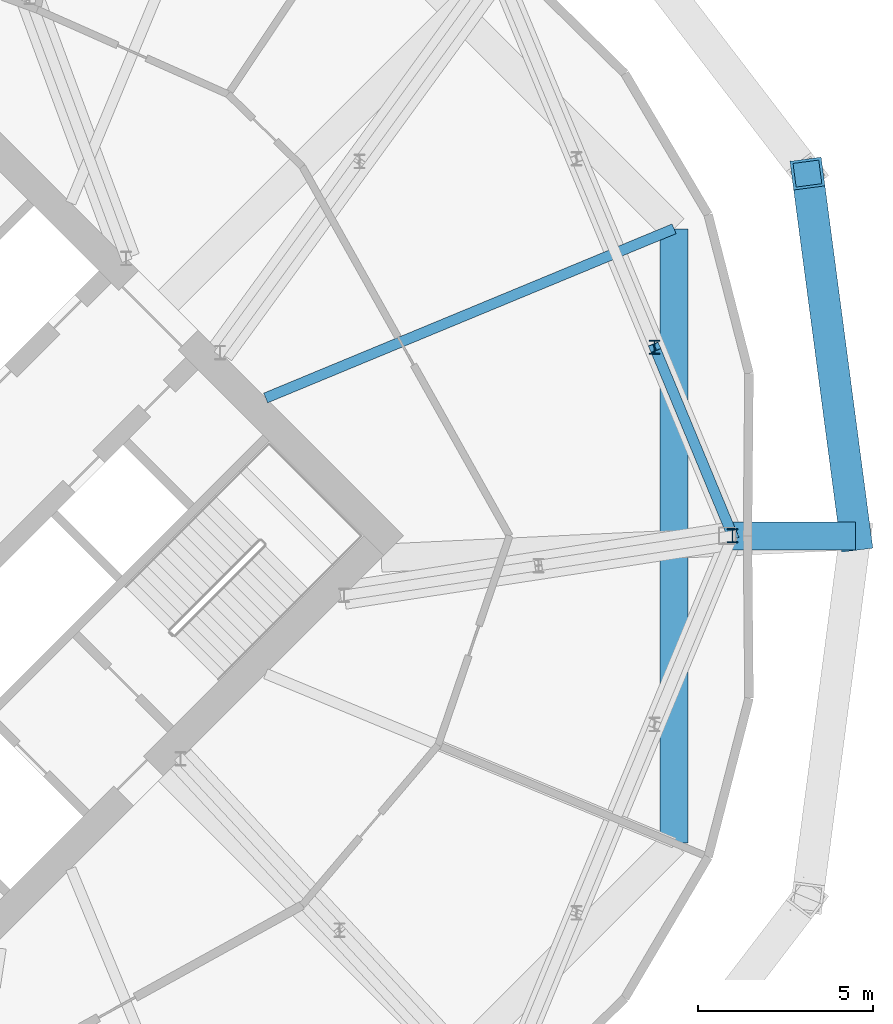
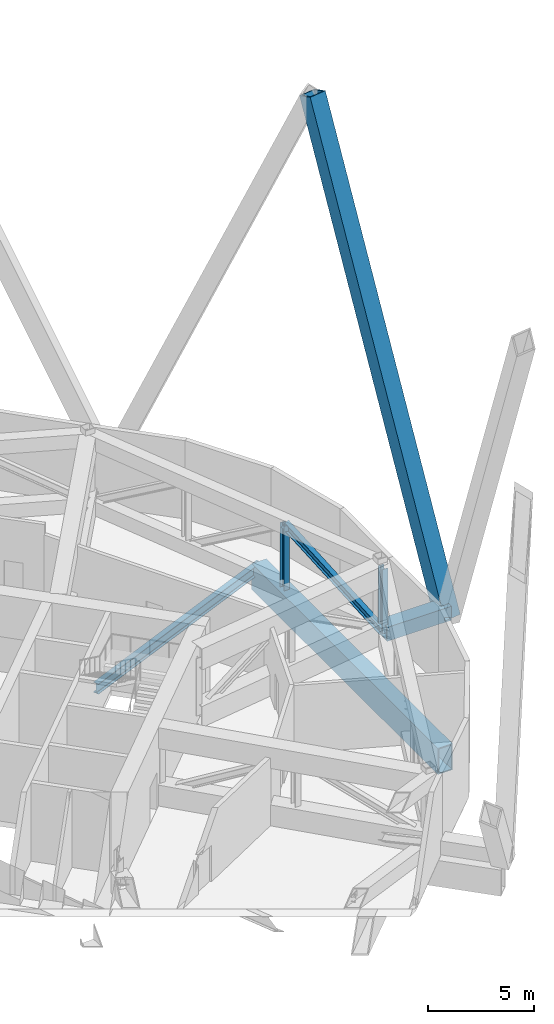
# One storey, part 10 of 21: 4 members, 3 beams.
"""IFC4 building model written with IfcOpenShell, lengths in metres."""

from ifc_helpers import new_model, si_unit, direction, frame, origin, origin_2d, place, context, subcontext, project, spatial, hollow_rectangle, i_section, extrude, material, material_profile, profile_set, type_object, element, save


model = new_model("IFC4")

# Units and contexts
model_context = context("Model", 3, precision=1e-05, world=origin(), true_north=direction((0.0, 1.0)))
body_context = subcontext(model_context, "Body", "Model", "MODEL_VIEW")
ifc_project = project(units=[si_unit("LENGTHUNIT", "METRE"), si_unit("AREAUNIT", "SQUARE_METRE"), si_unit("VOLUMEUNIT", "CUBIC_METRE"), si_unit("PLANEANGLEUNIT", "RADIAN"), si_unit("MASSUNIT", "GRAM", prefix="KILO")], contexts=[model_context])

# Site, building, storey
site_placement = place(None, origin())
site = spatial("IfcSite", under=ifc_project, at=site_placement, CompositionType="ELEMENT")
building_placement = place(site_placement, origin())
building = spatial("IfcBuilding", under=site, at=building_placement, Name="Ogive Gate Towers", CompositionType="ELEMENT")
storey_placement = place(building_placement, frame((0.0, 0.0, 71.39990234375)))
storey = spatial("IfcBuildingStorey", under=building, at=storey_placement, Name="L16", CompositionType="ELEMENT", Elevation=71.39990234375)

# Member
ifc_material_1 = material(Name="Steel SM460", Category="steel")
ifc_material_profile_1 = material_profile(ifc_material_1, hollow_rectangle(XDim=0.89990234375, YDim=0.89990234375, WallThickness=0.080078125, at=origin_2d()), Name="BX 900x900x80")
ifc_profile_set_1 = profile_set([ifc_material_profile_1], Name="Steel SM460")
member_type_1 = type_object("IfcMemberType", Name="Diagrid diagonal BX 900x900x80", PredefinedType="BRACE", material=ifc_profile_set_1)
member_1_placement = place(storey_placement, frame((62.330078125, 0.0, 0.0), z_axis=(-0.05169225596, 0.391020203016, 0.918929328897), x_axis=(-0.991374679477, -0.131058173692, 0.0)))
element("IfcMember", 1, at=member_1_placement, inside=storey, type_object=member_type_1, Name="T2/L16/SDG002", PredefinedType="BRACE", context=body_context, shape_type="SweptSolid", body=[
    extrude(hollow_rectangle(XDim=0.89990234375, YDim=0.89990234375, WallThickness=0.080078125, at=origin_2d()), origin(), (0.0, 0.0, 1.0), 26.44384765625),
])

# Beams
ifc_material_profile_2 = material_profile(ifc_material_1, hollow_rectangle(XDim=0.800048828125, YDim=1.5, WallThickness=0.06005859375, at=origin_2d()), Name="BX 1500x800x60")
ifc_profile_set_2 = profile_set([ifc_material_profile_2], Name="Steel SM460")
beam_type_1 = type_object("IfcBeamType", Name="Edge girder BX 1500x800x60", PredefinedType="BEAM", material=ifc_profile_set_2)
beam_1_placement = place(storey_placement, frame((57.15673828125, -8.763427734375, -1.0498046875), z_axis=(0.0, 1.0, 0.0), x_axis=(-1.0, 0.0, 0.0)))
element("IfcBeam", 2, at=beam_1_placement, inside=storey, type_object=beam_type_1, Name="T2/L16/SBM020", PredefinedType="BEAM", context=body_context, shape_type="SweptSolid", body=[
    extrude(hollow_rectangle(XDim=0.800048828125, YDim=1.5, WallThickness=0.06005859375, at=origin_2d()), origin(), (0.0, 0.0, 1.0), 17.52685546875),
])
ifc_material_profile_3 = material_profile(ifc_material_1, hollow_rectangle(XDim=0.800048828125, YDim=0.800048828125, WallThickness=0.050048828125, at=origin_2d()), Name="BX 800x800x50")
ifc_profile_set_3 = profile_set([ifc_material_profile_3], Name="Steel SM460")
beam_type_2 = type_object("IfcBeamType", Name="Node arm BX 800x800x50", PredefinedType="BEAM", material=ifc_profile_set_3)
beam_2_placement = place(storey_placement, frame((58.830078125, 0.0, 0.4501953125), z_axis=(1.0, 0.0, 0.0), x_axis=(0.0, 1.0, 0.0)))
element("IfcBeam", 3, at=beam_2_placement, inside=storey, type_object=beam_type_2, Name="T2/L16/SBM025", PredefinedType="BEAM", context=body_context, shape_type="SweptSolid", body=[
    extrude(hollow_rectangle(XDim=0.800048828125, YDim=0.800048828125, WallThickness=0.050048828125, at=origin_2d()), origin(), (0.0, 0.0, 1.0), 3.5),
])
ifc_material_2 = material(Name="Steel SM355", Category="steel")
ifc_material_profile_4 = material_profile(ifc_material_2, i_section(OverallWidth=0.300048828125, OverallDepth=0.590087890625, WebThickness=0.012939453125, FlangeThickness=0.02490234375, FilletRadius=0.027099609375, at=origin_2d()), Name="HE 600 A")
ifc_profile_set_4 = profile_set([ifc_material_profile_4], Name="Steel SM355")
beam_type_3 = type_object("IfcBeamType", Name="Radial floor beam HE 600 A", PredefinedType="BEAM", material=ifc_profile_set_4)
beam_3_placement = place(storey_placement, frame((45.5, 3.93505859375, -0.594970703125), z_axis=(0.923879811284, 0.382682759347, 0.0), x_axis=(-0.382682759347, 0.923879811284, 0.0)))
element("IfcBeam", 4, at=beam_3_placement, inside=storey, type_object=beam_type_3, Name="T2/L16/SBM009", PredefinedType="BEAM", context=body_context, shape_type="SweptSolid", body=[
    extrude(i_section(OverallWidth=0.300048828125, OverallDepth=0.590087890625, WebThickness=0.012939453125, FlangeThickness=0.02490234375, FilletRadius=0.027099609375, at=origin_2d()), origin(), (0.0, 0.0, 1.0), 12.6171875),
])

# Members
ifc_material_profile_5 = material_profile(ifc_material_1, i_section(OverallWidth=0.300048828125, OverallDepth=0.39990234375, WebThickness=0.013427734375, FlangeThickness=0.02392578125, FilletRadius=0.027099609375, at=origin_2d()), Name="HE 400 B")
ifc_profile_set_5 = profile_set([ifc_material_profile_5], Name="Steel SM460")
member_type_2 = type_object("IfcMemberType", Name="Truss diagonal HE 400 B", PredefinedType="BRACE", material=ifc_profile_set_5)
member_2_placement = place(storey_placement, frame((58.830078125, 0.0, 0.400146484375), z_axis=(-0.323029212472, 0.779834268576, 0.536200187844), x_axis=(-0.923874806885, -0.382694840836, 0.0)))
element("IfcMember", 5, at=member_2_placement, inside=storey, type_object=member_type_2, Name="T2/L16/STR003", PredefinedType="BRACE", context=body_context, shape_type="SweptSolid", body=[
    extrude(i_section(OverallWidth=0.300048828125, OverallDepth=0.39990234375, WebThickness=0.013427734375, FlangeThickness=0.02392578125, FilletRadius=0.027099609375, at=origin_2d()), origin(), (0.0, 0.0, 1.0), 6.900390625),
])
ifc_material_profile_6 = material_profile(ifc_material_1, i_section(OverallWidth=0.300048828125, OverallDepth=0.39990234375, WebThickness=0.013427734375, FlangeThickness=0.02392578125, FilletRadius=0.027099609375, at=origin_2d()), Name="HE 400 B")
ifc_profile_set_6 = profile_set([ifc_material_profile_6], Name="Steel SM460")
member_type_3 = type_object("IfcMemberType", Name="Truss post HE 400 B", PredefinedType="POST", material=ifc_profile_set_6)
for number, where, z_axis, x_axis, name in (
    (6, (58.830078125, 0.0, 0.400146484375), (0.0, 0.0, 1.0), (1.0, 0.0, 0.0), "T2/L16/STR006"),
    (7, (56.60107421875, 5.381103515625, 0.400146484375), (0.0, 0.0, 1.0), (1.0, 0.0, 0.0), "T2/L16/STR007"),
):
    element("IfcMember", number, at=place(storey_placement, frame(where, z_axis=z_axis, x_axis=x_axis)), inside=storey, type_object=member_type_3, Name=name, PredefinedType="POST", context=body_context, shape_type="SweptSolid", body=[
        extrude(i_section(OverallWidth=0.300048828125, OverallDepth=0.39990234375, WebThickness=0.013427734375, FlangeThickness=0.02392578125, FilletRadius=0.027099609375, at=origin_2d()), origin(), (0.0, 0.0, 1.0), 3.699951171875),
    ])

save(model, "model.ifc")
